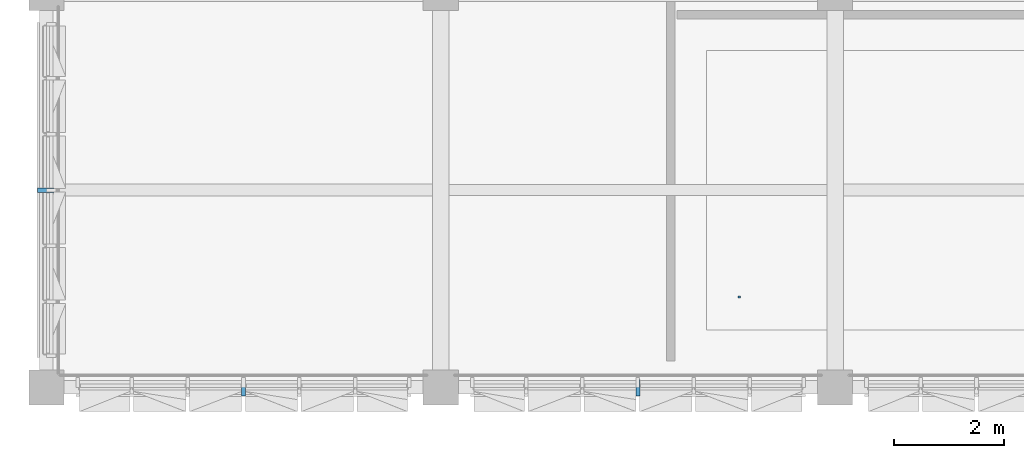
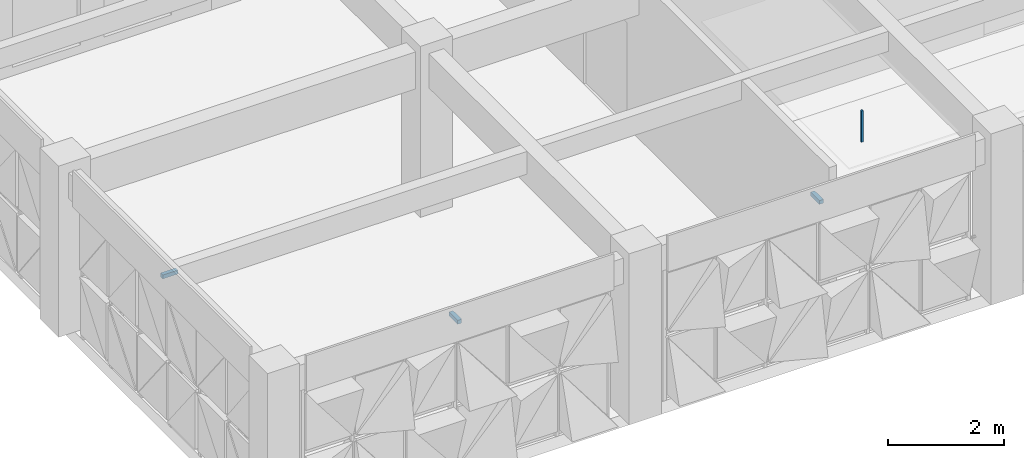
# One storey, part 55 of 85: 4 discrete accessories.
"""IFC4 building model written with IfcOpenShell, lengths in metres."""

from ifc_helpers import new_model, si_unit, direction, frame, origin, origin_2d, place, context, subcontext, project, spatial, rectangle, extrude, material, type_object, element, save


model = new_model("IFC4")

# Units and contexts
model_context = context("Model", 3, precision=1e-05, world=origin(), true_north=direction((0.0, 1.0)))
body_context = subcontext(model_context, "Body", "Model", "MODEL_VIEW")
ifc_project = project(units=[si_unit("LENGTHUNIT", "METRE"), si_unit("AREAUNIT", "SQUARE_METRE"), si_unit("VOLUMEUNIT", "CUBIC_METRE"), si_unit("PLANEANGLEUNIT", "RADIAN"), si_unit("MASSUNIT", "GRAM", prefix="KILO")], contexts=[model_context])

# Site, building, storey
site_placement = place(None, origin())
site = spatial("IfcSite", under=ifc_project, at=site_placement, CompositionType="ELEMENT")
building_placement = place(site_placement, origin())
building = spatial("IfcBuilding", under=site, at=building_placement, Name="Alvorim Cloister Faculty of Sciences", CompositionType="ELEMENT")
storey_placement = place(building_placement, frame((0.0, 0.0, 8.550048828125)))
storey = spatial("IfcBuildingStorey", under=building, at=storey_placement, Name="L02", CompositionType="ELEMENT", Elevation=8.550048828125)

# Discrete accessories
ifc_material_1 = material(Name="Galvanised Painted Steel", Category="steel")
discrete_accessory_type_1 = type_object("IfcDiscreteAccessoryType", Name="ACC-CEIL-ROD", PredefinedType="BRACKET", material=ifc_material_1)
discrete_accessory_placement = place(storey_placement, frame((12.64990234375, 1.64990234375, 2.75), z_axis=(0.0, 0.0, 1.0), x_axis=(1.0, 0.0, 0.0)))
element("IfcDiscreteAccessory", 1, at=discrete_accessory_placement, inside=storey, type_object=discrete_accessory_type_1, Name="Ceiling Suspension Bracket ACC-ROD-015", PredefinedType="BRACKET", context=body_context, shape_type="SweptSolid", body=[
    extrude(rectangle(XDim=0.0400390625, YDim=0.0400390625, at=origin_2d()), origin(), (0.0, 0.0, 1.0), 0.659912109375),
])
ifc_material_2 = material(Name="Aluminium Alloy 6063-T6", Category="aluminium")
discrete_accessory_type_2 = type_object("IfcDiscreteAccessoryType", Name="ACC-DIAG-BAR", PredefinedType="BRACKET", material=ifc_material_2)
for number, where, z_axis, x_axis, name in (
    (2, (10.800048828125, 0.139892578125, 3.224853515625), (0.0, -1.0, 0.0), (1.0, 0.0, 0.0), "Slab-Edge Fascia Tie Bracket ACC-00930"),
    (3, (3.60009765625, 0.139892578125, 3.224853515625), (0.0, -1.0, 0.0), (1.0, 0.0, 0.0), "Slab-Edge Fascia Tie Bracket ACC-00943"),
    (4, (0.139892578125, 3.60009765625, 3.224853515625), (-1.0, 0.0, 0.0), (0.0, -1.0, 0.0), "Slab-Edge Fascia Tie Bracket ACC-00956"),
):
    element("IfcDiscreteAccessory", number, at=place(storey_placement, frame(where, z_axis=z_axis, x_axis=x_axis)), inside=storey, type_object=discrete_accessory_type_2, Name=name, PredefinedType="BRACKET", context=body_context, shape_type="SweptSolid", body=[
        extrude(rectangle(XDim=0.080078125, YDim=0.080078125, at=origin_2d()), origin(), (0.0, 0.0, 1.0), 0.2998046875),
    ])

save(model, "model.ifc")
